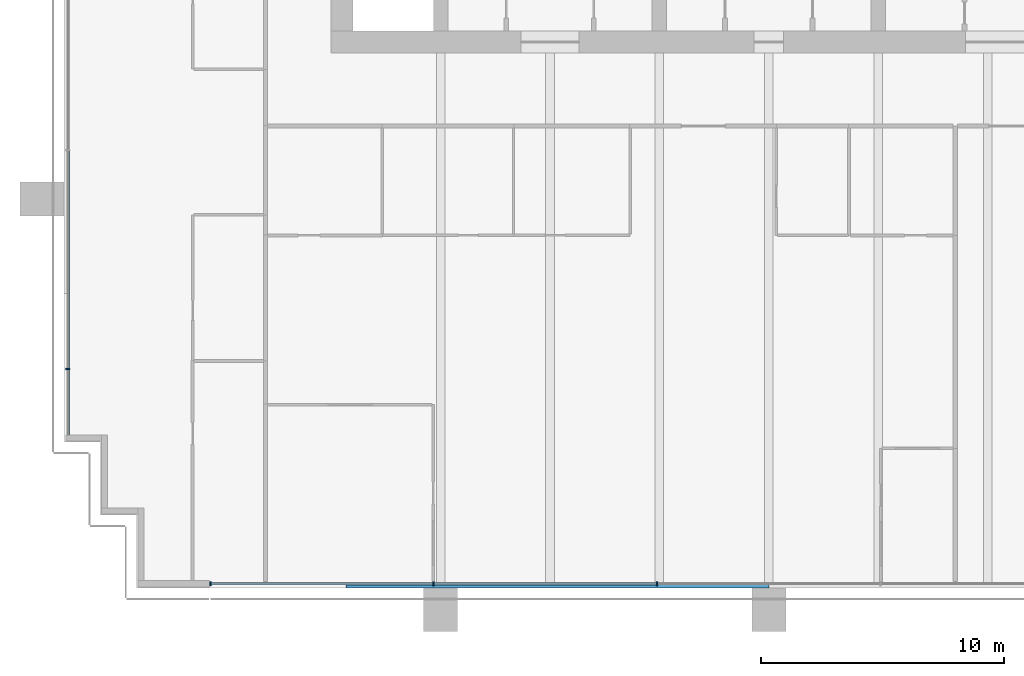
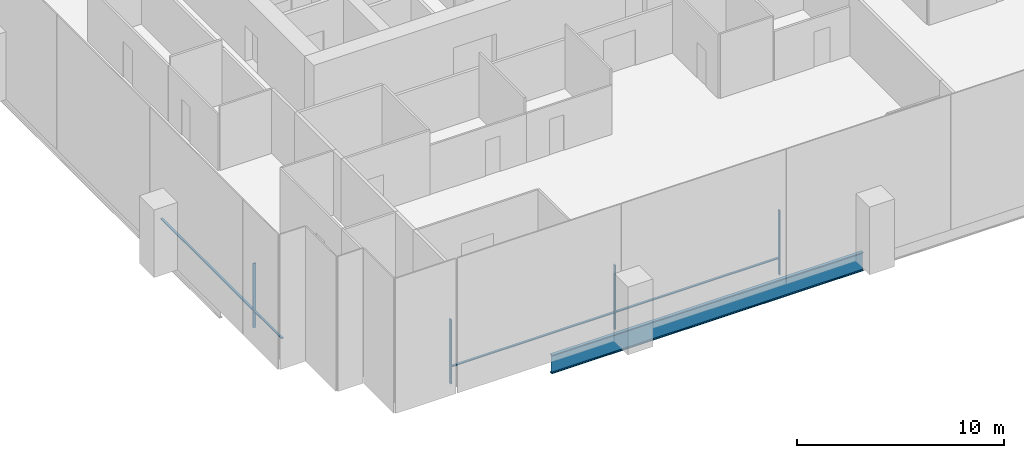
# One storey, part 2 of 17: 8 members, 1 beam, 2 elements without a shape of their own.
"""IFC4 building model written with IfcOpenShell, lengths in metres."""

import ifcopenshell
import ifcopenshell.guid

model = None  # the IFC model being written
_history = None  # IfcOwnerHistory: only IFC2X3 demands one
_inside = {}  # id of a spatial element -> (the spatial element, [elements in it])
_under = {}  # id of a project, library or spatial element -> (it, [spatial elements below it])
_declared = {}  # id of a project -> (the project, [libraries it declares])
_typed = {}  # id of a type object -> (the type object, [elements of that type])
_made_of = {}  # id of a material, layer set ... -> (it, [elements and type objects made of it])


def new_model(schema):
    """Start an empty IFC model of exactly this schema.

    Asked for "IFC4X3", IfcOpenShell would pick the latest addendum, in which some entities
    have other attributes; the version numbers below select the first issue.
    IFC2X3 requires an IfcOwnerHistory on every rooted entity: one is made here for all.
    """
    global model, _history
    if schema == "IFC4X3":
        model = ifcopenshell.file(schema_version=(4, 3, 0, 0))
    else:
        model = ifcopenshell.file(schema=schema)
    _inside.clear()
    _under.clear()
    _declared.clear()
    _typed.clear()
    _made_of.clear()
    _history = None
    if model.schema == "IFC2X3":
        org = make("IfcOrganization", Name="unknown")
        user = make(
            "IfcPersonAndOrganization",
            ThePerson=make("IfcPerson", FamilyName="unknown"),
            TheOrganization=org,
        )
        app = make(
            "IfcApplication",
            ApplicationDeveloper=org,
            Version="unknown",
            ApplicationFullName="unknown",
            ApplicationIdentifier="unknown",
        )
        _history = make(
            "IfcOwnerHistory",
            OwningUser=user,
            OwningApplication=app,
            ChangeAction="ADDED",
            CreationDate=0,
        )
    return model


def make(cls, **values):
    """One entity of the class cls with the attributes given. An attribute that is None is left unset."""
    return model.create_entity(
        cls, **{name: value for name, value in values.items() if value is not None}
    )


def rooted(cls, **values):
    """An entity with a GlobalId (a new one), such as an element, a storey or a relation."""
    return make(cls, GlobalId=ifcopenshell.guid.new(), OwnerHistory=_history, **values)


def si_unit(unit_type, name, prefix=None):
    """IfcSIUnit, for example si_unit("LENGTHUNIT", "METRE", prefix="MILLI")."""
    return make("IfcSIUnit", UnitType=unit_type, Prefix=prefix, Name=name)


def assignment(units):
    """IfcUnitAssignment: the units of a project."""
    return None if units is None else make("IfcUnitAssignment", Units=units)


def point(xyz):
    """IfcCartesianPoint."""
    return None if xyz is None else make("IfcCartesianPoint", Coordinates=xyz)


def direction(xyz):
    """IfcDirection."""
    return None if xyz is None else make("IfcDirection", DirectionRatios=xyz)


def frame(location, z_axis=None, x_axis=None):
    """IfcAxis2Placement3D, a coordinate frame: its origin and axes. An axis left out is left unset."""
    return make(
        "IfcAxis2Placement3D",
        Location=point(location),
        Axis=direction(z_axis),
        RefDirection=direction(x_axis),
    )


def frame_2d(location, x_axis=None):
    """IfcAxis2Placement2D, a coordinate frame in the plane: its origin and x axis."""
    return make(
        "IfcAxis2Placement2D", Location=point(location), RefDirection=direction(x_axis)
    )


def origin():
    """The frame at (0, 0, 0) with its axes left unset."""
    return frame((0.0, 0.0, 0.0))


def origin_2d():
    """The frame at (0, 0) in the plane with its x axis left unset."""
    return frame_2d((0.0, 0.0))


def place(relative_to, where):
    """IfcLocalPlacement: puts the frame where relative to a parent placement (None: the world)."""
    return make(
        "IfcLocalPlacement", PlacementRelTo=relative_to, RelativePlacement=where
    )


def context(
    kind, dimensions, precision=None, world=None, true_north=None, identifier=None
):
    """IfcGeometricRepresentationContext, for example the 3D "Model" context."""
    return make(
        "IfcGeometricRepresentationContext",
        ContextIdentifier=identifier,
        ContextType=kind,
        CoordinateSpaceDimension=dimensions,
        Precision=precision,
        WorldCoordinateSystem=world,
        TrueNorth=true_north,
    )


def subcontext(parent, identifier, kind, view, scale=None):
    """IfcGeometricRepresentationSubContext, for example "Body" below "Model"."""
    return make(
        "IfcGeometricRepresentationSubContext",
        ContextIdentifier=identifier,
        ContextType=kind,
        ParentContext=parent,
        TargetScale=scale,
        TargetView=view,
    )


def project(units=None, contexts=None):
    """IfcProject with its units and contexts."""
    return rooted(
        "IfcProject",
        Name="project",
        RepresentationContexts=contexts,
        UnitsInContext=assignment(units),
    )


def spatial(cls, under=None, at=None, **own):
    """A site, building, storey or space (cls), placed at a placement, below another one or the project."""
    s = rooted(cls, ObjectPlacement=at, **own)
    if under is not None:
        _under.setdefault(under.id(), (under, []))[1].append(s)
    return s


def profile(cls, at=None, kind="AREA", **sizes):
    """A parametric profile (cls). Its sizes go by their IFC names, for example OverallWidth=200.0."""
    return make(cls, ProfileType=kind, Position=at, **sizes)


def rectangle(**sizes):
    """IfcRectangleProfileDef."""
    return profile("IfcRectangleProfileDef", **sizes)


def i_section(**sizes):
    """IfcIShapeProfileDef."""
    return profile("IfcIShapeProfileDef", **sizes)


def extrude(swept, where, along, depth):
    """IfcExtrudedAreaSolid: the profile swept, set in the frame where, extruded along a direction by depth."""
    return make(
        "IfcExtrudedAreaSolid",
        SweptArea=swept,
        Position=where,
        ExtrudedDirection=direction(along),
        Depth=depth,
    )


def shape(context_of_items, identifier, shape_type, items):
    """IfcShapeRepresentation: the items that make up one representation, for example the "Body"."""
    return make(
        "IfcShapeRepresentation",
        ContextOfItems=context_of_items,
        RepresentationIdentifier=identifier,
        RepresentationType=shape_type,
        Items=items,
    )


def material(Name=None, Category=None):
    """IfcMaterial."""
    return make("IfcMaterial", Name=Name, Category=Category)


def material_profile(
    of_material, cross_section, Name=None, Category=None, Priority=None
):
    """IfcMaterialProfile: a cross section and its material."""
    return make(
        "IfcMaterialProfile",
        Name=Name,
        Material=of_material,
        Profile=cross_section,
        Priority=Priority,
        Category=Category,
    )


def profile_set(profiles, Name=None, composite=None):
    """IfcMaterialProfileSet."""
    return make(
        "IfcMaterialProfileSet",
        Name=Name,
        MaterialProfiles=profiles,
        CompositeProfile=composite,
    )


def made_of(thing, what):
    """Note that an element or type object is made of a material, layer set ...; save() writes the relation."""
    if what is not None:
        _made_of.setdefault(what.id(), (what, []))[1].append(thing)
    return thing


def type_object(cls, material=None, **own):
    """A type object (cls), such as IfcWallType, which elements share."""
    return made_of(rooted(cls, **own), material)


def element(
    cls,
    number,
    at=None,
    inside=None,
    cuts=None,
    type_object=None,
    material=None,
    context=None,
    identifier="Body",
    shape_type=None,
    held_by="IfcProductDefinitionShape",
    body=None,
    shapes=None,
    **own,
):
    """One element of the class cls, such as IfcWall. Its Tag is "e" and its number.

    at: its placement. inside: the storey or other place that contains it. cuts: it is an
    opening in that element (IfcRelVoidsElement). A single representation is given by context,
    identifier, shape_type and body (its items); several are given by shapes. held_by: the class
    of the entity that holds the representations. save() writes the other relations.
    """
    e = rooted(cls, Tag="e%d" % number, ObjectPlacement=at, **own)
    if body is not None:
        shapes = [shape(context, identifier, shape_type, body)]
    if shapes is not None:
        e.Representation = make(held_by, Representations=shapes)
    if inside is not None:
        _inside.setdefault(inside.id(), (inside, []))[1].append(e)
    if cuts is not None:
        rooted(
            "IfcRelVoidsElement", RelatingBuildingElement=cuts, RelatedOpeningElement=e
        )
    if type_object is not None:
        _typed.setdefault(type_object.id(), (type_object, []))[1].append(e)
    return made_of(e, material)


def aggregate(whole, parts):
    """IfcRelAggregates: a whole, such as a stair, and the parts it consists of."""
    return rooted("IfcRelAggregates", RelatingObject=whole, RelatedObjects=parts)


def save(model, path):
    """Write the relations noted so far, then the file.

    IfcRelAggregates (storeys below a building ...), IfcRelContainedInSpatialStructure (elements
    in a storey), IfcRelDefinesByType, IfcRelAssociatesMaterial and IfcRelDeclares: one each for
    every whole, place, type object, material and project.
    """
    for whole, parts in _under.values():
        aggregate(whole, parts)
    for where, things in _inside.values():
        rooted(
            "IfcRelContainedInSpatialStructure",
            RelatedElements=things,
            RelatingStructure=where,
        )
    for kind, things in _typed.values():
        rooted("IfcRelDefinesByType", RelatedObjects=things, RelatingType=kind)
    for what, things in _made_of.values():
        rooted("IfcRelAssociatesMaterial", RelatedObjects=things, RelatingMaterial=what)
    for by, libraries in _declared.values():
        rooted("IfcRelDeclares", RelatingContext=by, RelatedDefinitions=libraries)
    model.write(path)


model = new_model("IFC4")

# Units and contexts
model_context = context("Model", 3, precision=1e-05, world=origin(), true_north=direction((0.0, 1.0)))
body_context = subcontext(model_context, "Body", "Model", "MODEL_VIEW")
ifc_project = project(units=[si_unit("LENGTHUNIT", "METRE"), si_unit("AREAUNIT", "SQUARE_METRE"), si_unit("VOLUMEUNIT", "CUBIC_METRE"), si_unit("PLANEANGLEUNIT", "RADIAN"), si_unit("MASSUNIT", "GRAM", prefix="KILO")], contexts=[model_context])

# Site, building, storey
site_placement = place(None, origin())
site = spatial("IfcSite", under=ifc_project, at=site_placement, CompositionType="ELEMENT")
building_placement = place(site_placement, origin())
building = spatial("IfcBuilding", under=site, at=building_placement, Name="Rattan Terrace Tower", CompositionType="ELEMENT")
storey_placement = place(building_placement, frame((0.0, 0.0, 126.10009765625)))
storey = spatial("IfcBuildingStorey", under=building, at=storey_placement, Name="L28", CompositionType="ELEMENT", Elevation=126.10009765625)

# Curtain wall, member
ifc_material_1 = material(Name="Aluminium and glass", Category="aluminium")
curtain_wall_type = type_object("IfcCurtainWallType", Name="Facade Unitised Curtain Wall", PredefinedType="NOTDEFINED", material=ifc_material_1)
curtain_wall_1_placement = place(storey_placement, origin())
curtain_wall_1 = element("IfcCurtainWall", 1, at=curtain_wall_1_placement, inside=storey, type_object=curtain_wall_type, Name="Curtain wall L28-3", PredefinedType="NOTDEFINED")
ifc_material_2 = material(Name="Aluminium", Category="aluminium")
ifc_material_profile_1 = material_profile(ifc_material_2, rectangle(XDim=0.06005859375, YDim=0.159912109375, at=origin_2d()), Name="Aluminium 60x160")
ifc_profile_set_1 = profile_set([ifc_material_profile_1], Name="Aluminium")
member_type_1 = type_object("IfcMemberType", Name="Facade CW Mullion 60x160", PredefinedType="MULLION", material=ifc_profile_set_1)
member_1_placement = place(storey_placement, frame((-28.830078125, -20.5, 0.0), z_axis=(0.0, 0.0, 1.0), x_axis=(0.0, -1.0, 0.0)))
member_1 = element("IfcMember", 2, at=member_1_placement, type_object=member_type_1, Name="Mullion cwl-L28-003.4", PredefinedType="MULLION", context=body_context, shape_type="SweptSolid", body=[
    extrude(rectangle(XDim=0.06005859375, YDim=0.159912109375, at=origin_2d()), origin(), (0.0, 0.0, 1.0), 3.7998046875),
])

# Curtain wall, members
curtain_wall_2_placement = place(storey_placement, origin())
curtain_wall_2 = element("IfcCurtainWall", 3, at=curtain_wall_2_placement, inside=storey, type_object=curtain_wall_type, Name="Curtain wall L28-4", PredefinedType="NOTDEFINED")
member_2_placement = place(storey_placement, frame((-22.969970703125, -29.330078125, 0.0), z_axis=(0.0, 0.0, 1.0), x_axis=(1.0, 0.0, 0.0)))
member_2 = element("IfcMember", 4, at=member_2_placement, type_object=member_type_1, Name="Mullion cwl-L28-004.1", PredefinedType="MULLION", context=body_context, shape_type="SweptSolid", body=[
    extrude(rectangle(XDim=0.06005859375, YDim=0.159912109375, at=origin_2d()), origin(), (0.0, 0.0, 1.0), 3.7998046875),
])
member_3_placement = place(storey_placement, frame((-13.799072265625, -29.330078125, 0.0), z_axis=(0.0, 0.0, 1.0), x_axis=(1.0, 0.0, 0.0)))
member_3 = element("IfcMember", 5, at=member_3_placement, type_object=member_type_1, Name="Mullion cwl-L28-004.2", PredefinedType="MULLION", context=body_context, shape_type="SweptSolid", body=[
    extrude(rectangle(XDim=0.06005859375, YDim=0.159912109375, at=origin_2d()), origin(), (0.0, 0.0, 1.0), 3.7998046875),
])
member_4_placement = place(storey_placement, frame((-4.597900390625, -29.330078125, 0.0), z_axis=(0.0, 0.0, 1.0), x_axis=(1.0, 0.0, 0.0)))
member_4 = element("IfcMember", 6, at=member_4_placement, type_object=member_type_1, Name="Mullion cwl-L28-004.3", PredefinedType="MULLION", context=body_context, shape_type="SweptSolid", body=[
    extrude(rectangle(XDim=0.06005859375, YDim=0.159912109375, at=origin_2d()), origin(), (0.0, 0.0, 1.0), 3.7998046875),
])

# Member
ifc_material_3 = material(Name="Aluminium", Category="aluminium")
ifc_material_profile_2 = material_profile(ifc_material_3, rectangle(XDim=0.1201171875, YDim=0.06005859375, at=origin_2d()), Name="Aluminium 120x60")
ifc_profile_set_2 = profile_set([ifc_material_profile_2], Name="Aluminium")
member_type_2 = type_object("IfcMemberType", Name="Facade CW Transom 120x60", PredefinedType="USERDEFINED", material=ifc_profile_set_2)
member_5_placement = place(storey_placement, frame((-28.830078125, -11.530029296875, 1.0), z_axis=(0.0, -1.0, 0.0), x_axis=(1.0, 0.0, 0.0)))
member_5 = element("IfcMember", 7, at=member_5_placement, type_object=member_type_2, Name="Transom cwl-L28-003.3", ObjectType="TRANSOM", PredefinedType="USERDEFINED", context=body_context, shape_type="SweptSolid", body=[
    extrude(rectangle(XDim=0.1201171875, YDim=0.06005859375, at=origin_2d()), origin(), (0.0, 0.0, 1.0), 8.93994140625),
])

member_6_placement = place(storey_placement, frame((-28.830078125, -20.530029296875, 1.0), z_axis=(0.0, -1.0, 0.0), x_axis=(1.0, 0.0, 0.0)))
member_6 = element("IfcMember", 8, at=member_6_placement, type_object=member_type_2, Name="Transom cwl-L28-003.4", ObjectType="TRANSOM", PredefinedType="USERDEFINED", context=body_context, shape_type="SweptSolid", body=[
    extrude(rectangle(XDim=0.1201171875, YDim=0.06005859375, at=origin_2d()), origin(), (0.0, 0.0, 1.0), 2.675048828125),
])

aggregate(curtain_wall_1, [member_1, member_5, member_6])

member_7_placement = place(storey_placement, frame((-22.93994140625, -29.330078125, 1.0), z_axis=(1.0, 0.0, 0.0), x_axis=(0.0, 1.0, 0.0)))
member_7 = element("IfcMember", 9, at=member_7_placement, type_object=member_type_2, Name="Transom cwl-L28-004.1", ObjectType="TRANSOM", PredefinedType="USERDEFINED", context=body_context, shape_type="SweptSolid", body=[
    extrude(rectangle(XDim=0.1201171875, YDim=0.06005859375, at=origin_2d()), origin(), (0.0, 0.0, 1.0), 9.11083984375),
])

member_8_placement = place(storey_placement, frame((-13.76904296875, -29.330078125, 1.0), z_axis=(1.0, 0.0, 0.0), x_axis=(0.0, 1.0, 0.0)))
member_8 = element("IfcMember", 10, at=member_8_placement, type_object=member_type_2, Name="Transom cwl-L28-004.2", ObjectType="TRANSOM", PredefinedType="USERDEFINED", context=body_context, shape_type="SweptSolid", body=[
    extrude(rectangle(XDim=0.1201171875, YDim=0.06005859375, at=origin_2d()), origin(), (0.0, 0.0, 1.0), 9.14111328125),
])

aggregate(curtain_wall_2, [member_2, member_3, member_4, member_7, member_8])

# Beam
ifc_material_4 = material(Name="Steel S460", Category="steel")
ifc_material_profile_3 = material_profile(ifc_material_4, i_section(OverallWidth=0.179931640625, OverallDepth=1.10009765625, WebThickness=0.01611328125, FlangeThickness=0.050048828125, at=origin_2d()), Name="PG 1100x180-16-50")
ifc_profile_set_3 = profile_set([ifc_material_profile_3], Name="Steel S460")
beam_type = type_object("IfcBeamType", Name="Frame edge girder PG 1100x180-16-50", PredefinedType="SPANDREL", material=ifc_profile_set_3)
beam_placement = place(storey_placement, frame((-17.39990234375, -29.409912109375, -0.75), z_axis=(1.0, 0.0, 0.0), x_axis=(0.0, 1.0, 0.0)))
element("IfcBeam", 11, at=beam_placement, inside=storey, type_object=beam_type, Name="gdr-L28-001", PredefinedType="SPANDREL", context=body_context, shape_type="SweptSolid", body=[
    extrude(i_section(OverallWidth=0.179931640625, OverallDepth=1.10009765625, WebThickness=0.01611328125, FlangeThickness=0.050048828125, at=origin_2d()), origin(), (0.0, 0.0, 1.0), 17.39990234375),
])

save(model, "model.ifc")
